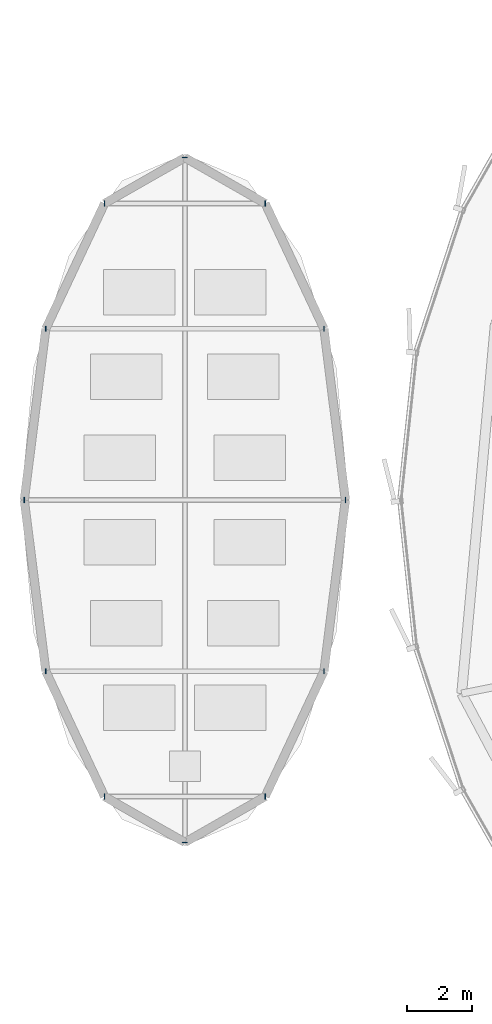
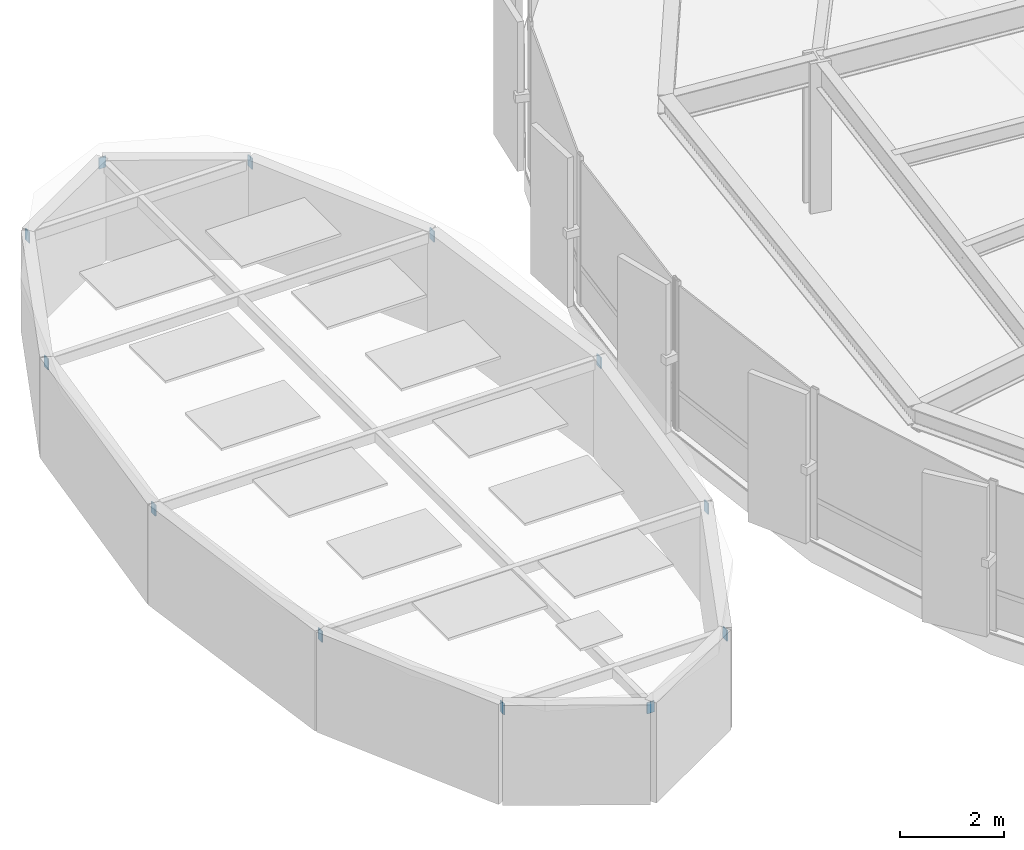
# One storey, part 28 of 38: 12 plates.
"""IFC4 building model written with IfcOpenShell, lengths in metres."""

from ifc_helpers import new_model, si_unit, direction, frame, origin, origin_2d, place, context, subcontext, project, spatial, rectangle, extrude, source, transform, mapped, material, layer, layer_set, type_object, element, save


model = new_model("IFC4")

# Units and contexts
model_context = context("Model", 3, precision=1e-05, world=origin(), true_north=direction((0.0, 1.0)))
body_context = subcontext(model_context, "Body", "Model", "MODEL_VIEW")
ifc_project = project(units=[si_unit("LENGTHUNIT", "METRE"), si_unit("AREAUNIT", "SQUARE_METRE"), si_unit("VOLUMEUNIT", "CUBIC_METRE"), si_unit("PLANEANGLEUNIT", "RADIAN"), si_unit("MASSUNIT", "GRAM", prefix="KILO"), si_unit("THERMODYNAMICTEMPERATUREUNIT", "KELVIN")], contexts=[model_context])

# Site, building, storey
site_placement = place(None, origin())
site = spatial("IfcSite", under=ifc_project, at=site_placement, CompositionType="ELEMENT")
building_placement = place(site_placement, origin())
building = spatial("IfcBuilding", under=site, at=building_placement, Name="Kethvar Cultural Tower", CompositionType="ELEMENT")
storey_placement = place(building_placement, frame((0.0, 0.0, 29.60009765625)))
storey = spatial("IfcBuildingStorey", under=building, at=storey_placement, Name="L06", CompositionType="ELEMENT", Elevation=29.60009765625)

# Plates
ifc_material = material(Name="Steel S355J2", Category="steel")
ifc_layer = layer(ifc_material, 0.02490234375, Name="Steel S355J2", Category="steel")
ifc_layer_set = layer_set([ifc_layer], Name="Steel S355J2 (25 mm)")
plate_type = type_object("IfcPlateType", Name="PL-ENDCAP-PUR", PredefinedType="SHEET", material=ifc_layer_set)
shared_shape = source(origin(), body_context, "Body", "SweptSolid", [
    extrude(rectangle(XDim=0.02490234375, YDim=0.159912109375, at=origin_2d()), origin(), (0.0, 0.0, 1.0), 0.260009765625),
])
for number, where, z_axis, x_axis, name in (
    (1, (4.01318359375, 33.074951171875, 2.080078125), (0.0, 0.0, 1.0), (1.0, 0.0, 0.0), "Atrium Purlin End Cap PR-01-A"),
    (2, (12.5869140625, 33.074951171875, 2.080078125), (0.0, 0.0, 1.0), (1.0, 0.0, 0.0), "Atrium Purlin End Cap PR-01-B"),
    (3, (3.35009765625, 27.800048828125, 2.080078125), (0.0, 0.0, 1.0), (1.0, 0.0, 0.0), "Atrium Purlin End Cap PR-02-A"),
    (4, (13.25, 27.800048828125, 2.080078125), (0.0, 0.0, 1.0), (1.0, 0.0, 0.0), "Atrium Purlin End Cap PR-02-B"),
    (5, (4.01318359375, 22.52490234375, 2.080078125), (0.0, 0.0, 1.0), (1.0, 0.0, 0.0), "Atrium Purlin End Cap PR-03-A"),
    (6, (12.5869140625, 22.52490234375, 2.080078125), (0.0, 0.0, 1.0), (1.0, 0.0, 0.0), "Atrium Purlin End Cap PR-03-B"),
    (7, (5.824951171875, 36.9365234375, 2.080078125), (0.0, 0.0, 1.0), (1.0, 0.0, 0.0), "Atrium Purlin End Cap PR-04-A"),
    (8, (10.77490234375, 36.9365234375, 2.080078125), (0.0, 0.0, 1.0), (1.0, 0.0, 0.0), "Atrium Purlin End Cap PR-04-B"),
    (9, (5.824951171875, 18.663330078125, 2.080078125), (0.0, 0.0, 1.0), (1.0, 0.0, 0.0), "Atrium Purlin End Cap PR-05-A"),
    (10, (10.77490234375, 18.663330078125, 2.080078125), (0.0, 0.0, 1.0), (1.0, 0.0, 0.0), "Atrium Purlin End Cap PR-05-B"),
    (11, (8.300048828125, 38.35009765625, 2.080078125), (0.0, 0.0, 1.0), (0.0, -1.0, 0.0), "Atrium Purlin End Cap PR-06-A"),
    (12, (8.300048828125, 17.25, 2.080078125), (0.0, 0.0, 1.0), (0.0, -1.0, 0.0), "Atrium Purlin End Cap PR-06-B"),
):
    element("IfcPlate", number, at=place(storey_placement, frame(where, z_axis=z_axis, x_axis=x_axis)), inside=storey, type_object=plate_type, Name=name, PredefinedType="SHEET", context=body_context, shape_type="MappedRepresentation", body=[
        mapped(shared_shape, transform((0.0, 0.0, 0.0), scale=1.0)),
    ])

save(model, "model.ifc")
